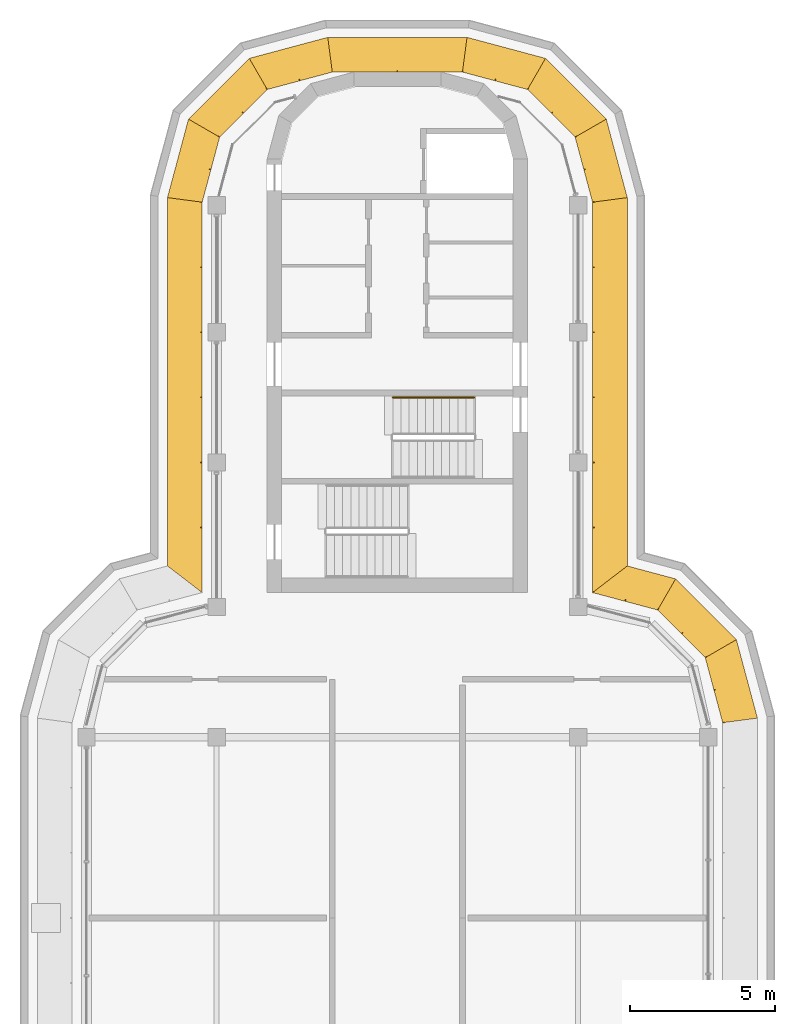
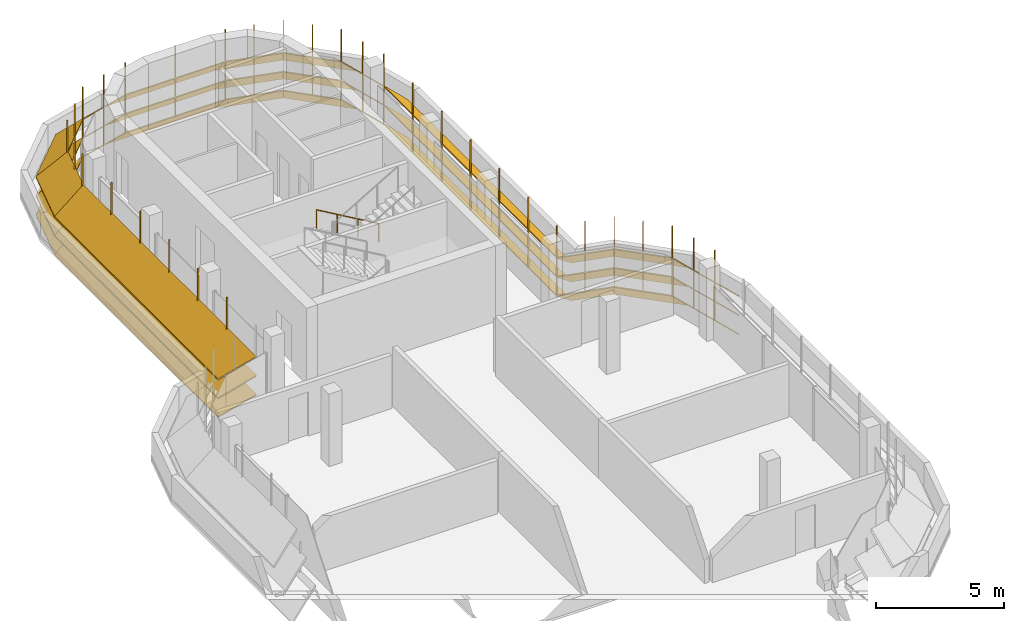
# One storey, part 13 of 13: 6 shading devices, 1 railing.
"""IFC4 building model written with IfcOpenShell, lengths in metres."""

from ifc_helpers import new_model, si_unit, direction, frame, origin, origin_2d, place, context, subcontext, project, spatial, polyline, circle, outline, extrude, faceted_brep, source, transform, mapped, material, type_object, element, save


model = new_model("IFC4")

# Units and contexts
model_context = context("Model", 3, precision=1e-05, world=origin(), true_north=direction((0.0, 1.0)))
body_context = subcontext(model_context, "Body", "Model", "MODEL_VIEW")
ifc_project = project(units=[si_unit("LENGTHUNIT", "METRE"), si_unit("AREAUNIT", "SQUARE_METRE"), si_unit("VOLUMEUNIT", "CUBIC_METRE"), si_unit("PLANEANGLEUNIT", "RADIAN"), si_unit("MASSUNIT", "GRAM", prefix="KILO")], contexts=[model_context])

# Site, building, storey
site_placement = place(None, origin())
site = spatial("IfcSite", under=ifc_project, at=site_placement, CompositionType="ELEMENT")
building_placement = place(site_placement, origin())
building = spatial("IfcBuilding", under=site, at=building_placement, Name="Zarbagh Exchange Tower", CompositionType="ELEMENT")
storey_placement = place(building_placement, frame((0.0, 0.0, 302.39990234375)))
storey = spatial("IfcBuildingStorey", under=building, at=storey_placement, Name="L74", CompositionType="ELEMENT", Elevation=302.39990234375)

# Railing
ifc_material_1 = material(Name="Stainless steel", Category="steel")
railing_type = type_object("IfcRailingType", Name="Stair handrail 900 mm", PredefinedType="HANDRAIL", material=ifc_material_1)
railing_placement = place(storey_placement, frame((2.64990234375, 18.0, 0.163818359375)))
element("IfcRailing", 1, at=railing_placement, inside=storey, type_object=railing_type, Name="ST1 stair handrail 1", PredefinedType="HANDRAIL", context=body_context, shape_type="SweptSolid", body=[
    extrude(circle(Radius=0.02392578125, at=origin_2d()), frame((0.0, 0.0, 0.8759765625), z_axis=(-0.863374499697, 0.0, 0.504563646405), x_axis=(0.0, -1.0, 0.0)), (0.0, 0.0, 1.0), 3.242919921875),
    extrude(circle(Radius=0.02099609375, at=origin_2d()), origin(), (0.0, 0.0, 1.0), 0.851806640625),
    extrude(circle(Radius=0.02099609375, at=origin_2d()), frame((-0.933349609375, 0.0, 0.54541015625)), (0.0, 0.0, 1.0), 0.851806640625),
    extrude(circle(Radius=0.02099609375, at=origin_2d()), frame((-1.866455078125, 0.0, 1.0908203125)), (0.0, 0.0, 1.0), 0.851806640625),
    extrude(circle(Radius=0.02099609375, at=origin_2d()), frame((-2.7998046875, 0.0, 1.63623046875)), (0.0, 0.0, 1.0), 0.851806640625),
])

# Shading devices
ifc_material_2 = material(Name="Anodised aluminium blades and brackets", Category="aluminium")
shading_device_type = type_object("IfcShadingDeviceType", Name="SUNSHADE louvre band, 45 degree blades", PredefinedType="JALOUSIE", material=ifc_material_2)
shared_shape_1 = source(origin(), body_context, "Body", "Brep", [
    faceted_brep([(0.0, 0.0, 0.0), (0.0, 0.0, -0.056640625), (-0.157958984375, -1.199951171875, -1.256591796875), (-0.157958984375, -1.199951171875, -1.199951171875), (2.65087890625, -1.199951171875, -1.199951171875), (2.65087890625, -1.199951171875, -1.256591796875), (2.329345703125, 0.0, -0.056640625), (2.329345703125, 0.0, 0.0)], [[[0, 1, 2, 3]], [[4, 5, 6, 7]], [[0, 7, 6, 1]], [[1, 6, 5, 2]], [[2, 5, 4, 3]], [[3, 4, 7, 0]]]),
])
shared_shape_2 = source(origin(), body_context, "Body", "Brep", [
    faceted_brep([(0.0, 0.0, 0.0), (0.0, 0.0, -0.056640625), (-0.321533203125, -1.199951171875, -1.256591796875), (-0.321533203125, -1.199951171875, -1.199951171875), (2.65087890625, -1.199951171875, -1.199951171875), (2.65087890625, -1.199951171875, -1.256591796875), (2.329345703125, 0.0, -0.056640625), (2.329345703125, 0.0, 0.0)], [[[0, 1, 2, 3]], [[4, 5, 6, 7]], [[0, 7, 6, 1]], [[1, 6, 5, 2]], [[2, 5, 4, 3]], [[3, 4, 7, 0]]]),
])
shared_shape_3 = source(origin(), body_context, "Body", "Brep", [
    faceted_brep([(0.0, 0.0, 0.0), (0.0, 0.0, -0.056640625), (-0.321533203125, -1.199951171875, -1.256591796875), (-0.321533203125, -1.199951171875, -1.199951171875), (1.40869140625, -1.199951171875, -1.199951171875), (1.40869140625, -1.199951171875, -1.256591796875), (2.329345703125, 0.0, -0.056640625), (2.329345703125, 0.0, 0.0)], [[[0, 1, 2, 3]], [[4, 5, 6, 7]], [[0, 7, 6, 1]], [[1, 6, 5, 2]], [[2, 5, 4, 3]], [[3, 4, 7, 0]]]),
])
shared_shape_4 = source(origin(), body_context, "Body", "SweptSolid", [
    extrude(outline(polyline([(0.0, -0.012451171875), (0.06005859375, -0.012451171875), (0.06005859375, 0.012451171875), (0.0, 0.012451171875), (0.0, -0.012451171875)])), origin(), (0.0, 0.0, 1.0), 3.366455078125),
])
placement = place(storey_placement, origin())
element("IfcShadingDevice", 2, at=placement, inside=storey, type_object=shading_device_type, Name="SS09 sunshade band", PredefinedType="JALOUSIE", context=body_context, shape_type="MappedRepresentation", body=[
    mapped(shared_shape_1, transform((11.25, 6.75, 2.10009765625), x_axis=(-0.258824779902, 0.965924289636, 0.0), y_axis=(-0.965924289636, -0.258824779902, 0.0), z_axis=(0.0, 0.0, 1.0))),
    mapped(shared_shape_1, transform((11.25, 6.75, 1.2001953125), x_axis=(-0.258824779902, 0.965924289636, 0.0), y_axis=(-0.965924289636, -0.258824779902, 0.0), z_axis=(0.0, 0.0, 1.0))),
    mapped(shared_shape_1, transform((11.25, 6.75, 0.300048828125), x_axis=(-0.258824779902, 0.965924289636, 0.0), y_axis=(-0.965924289636, -0.258824779902, 0.0), z_axis=(0.0, 0.0, 1.0))),
    mapped(shared_shape_2, transform((10.647216796875, 9.0, 2.10009765625), x_axis=(-0.707106781187, 0.707106781187, 0.0), y_axis=(-0.707106781187, -0.707106781187, 0.0), z_axis=(0.0, 0.0, 1.0))),
    mapped(shared_shape_2, transform((10.647216796875, 9.0, 1.2001953125), x_axis=(-0.707106781187, 0.707106781187, 0.0), y_axis=(-0.707106781187, -0.707106781187, 0.0), z_axis=(0.0, 0.0, 1.0))),
    mapped(shared_shape_2, transform((10.647216796875, 9.0, 0.300048828125), x_axis=(-0.707106781187, 0.707106781187, 0.0), y_axis=(-0.707106781187, -0.707106781187, 0.0), z_axis=(0.0, 0.0, 1.0))),
    mapped(shared_shape_3, transform((9.0, 10.647216796875, 2.10009765625), x_axis=(-0.965924289636, 0.258824779902, 0.0), y_axis=(-0.258824779902, -0.965924289636, 0.0), z_axis=(0.0, 0.0, 1.0))),
    mapped(shared_shape_3, transform((9.0, 10.647216796875, 1.2001953125), x_axis=(-0.965924289636, 0.258824779902, 0.0), y_axis=(-0.258824779902, -0.965924289636, 0.0), z_axis=(0.0, 0.0, 1.0))),
    mapped(shared_shape_3, transform((9.0, 10.647216796875, 0.300048828125), x_axis=(-0.965924289636, 0.258824779902, 0.0), y_axis=(-0.258824779902, -0.965924289636, 0.0), z_axis=(0.0, 0.0, 1.0))),
    mapped(shared_shape_4, transform((11.25, 6.75, 0.213623046875), x_axis=(0.991444457092, 0.130529263012, 0.0), y_axis=(-0.130529263012, 0.991444457092, 0.0), z_axis=(0.0, 0.0, 1.0))),
    mapped(shared_shape_4, transform((10.948486328125, 7.875, 0.213623046875), x_axis=(0.96592421511, 0.258825058029, 0.0), y_axis=(-0.258825058029, 0.96592421511, 0.0), z_axis=(0.0, 0.0, 1.0))),
    mapped(shared_shape_4, transform((10.647216796875, 9.0, 0.213623046875), x_axis=(0.866023812018, 0.50000275701, 0.0), y_axis=(-0.50000275701, 0.866023812018, 0.0), z_axis=(0.0, 0.0, 1.0))),
    mapped(shared_shape_4, transform((9.823486328125, 9.823486328125, 0.213623046875), x_axis=(0.707106781187, 0.707106781187, 0.0), y_axis=(-0.707106781187, 0.707106781187, 0.0), z_axis=(0.0, 0.0, 1.0))),
    mapped(shared_shape_4, transform((9.0, 10.647216796875, 0.213623046875), x_axis=(0.50000275701, 0.866023812018, 0.0), y_axis=(-0.866023812018, 0.50000275701, 0.0), z_axis=(0.0, 0.0, 1.0))),
    mapped(shared_shape_4, transform((7.875, 10.948486328125, 0.213623046875), x_axis=(0.258825058029, 0.96592421511, 0.0), y_axis=(-0.96592421511, 0.258825058029, 0.0), z_axis=(0.0, 0.0, 1.0))),
])
shared_shape_5 = source(origin(), body_context, "Body", "Brep", [
    faceted_brep([(0.0, 0.0, 0.0), (0.0, 0.0, -0.056640625), (-0.321533203125, -1.199951171875, -1.256591796875), (-0.321533203125, -1.199951171875, -1.199951171875), (2.4873046875, -1.199951171875, -1.199951171875), (2.4873046875, -1.199951171875, -1.256591796875), (2.329345703125, 0.0, -0.056640625), (2.329345703125, 0.0, 0.0)], [[[0, 1, 2, 3]], [[4, 5, 6, 7]], [[0, 7, 6, 1]], [[1, 6, 5, 2]], [[2, 5, 4, 3]], [[3, 4, 7, 0]]]),
])
element("IfcShadingDevice", 3, at=placement, inside=storey, type_object=shading_device_type, Name="SS46 sunshade band", PredefinedType="JALOUSIE", context=body_context, shape_type="MappedRepresentation", body=[
    mapped(shared_shape_1, transform((6.75, 24.75, 2.10009765625), x_axis=(-0.258824779902, 0.965924289636, 0.0), y_axis=(-0.965924289636, -0.258824779902, 0.0), z_axis=(0.0, 0.0, 1.0))),
    mapped(shared_shape_1, transform((6.75, 24.75, 1.2001953125), x_axis=(-0.258824779902, 0.965924289636, 0.0), y_axis=(-0.965924289636, -0.258824779902, 0.0), z_axis=(0.0, 0.0, 1.0))),
    mapped(shared_shape_1, transform((6.75, 24.75, 0.300048828125), x_axis=(-0.258824779902, 0.965924289636, 0.0), y_axis=(-0.965924289636, -0.258824779902, 0.0), z_axis=(0.0, 0.0, 1.0))),
    mapped(shared_shape_2, transform((6.147216796875, 27.0, 2.10009765625), x_axis=(-0.707106781187, 0.707106781187, 0.0), y_axis=(-0.707106781187, -0.707106781187, 0.0), z_axis=(0.0, 0.0, 1.0))),
    mapped(shared_shape_2, transform((6.147216796875, 27.0, 1.2001953125), x_axis=(-0.707106781187, 0.707106781187, 0.0), y_axis=(-0.707106781187, -0.707106781187, 0.0), z_axis=(0.0, 0.0, 1.0))),
    mapped(shared_shape_2, transform((6.147216796875, 27.0, 0.300048828125), x_axis=(-0.707106781187, 0.707106781187, 0.0), y_axis=(-0.707106781187, -0.707106781187, 0.0), z_axis=(0.0, 0.0, 1.0))),
    mapped(shared_shape_5, transform((4.5, 28.647216796875, 2.10009765625), x_axis=(-0.965924289636, 0.258824779902, 0.0), y_axis=(-0.258824779902, -0.965924289636, 0.0), z_axis=(0.0, 0.0, 1.0))),
    mapped(shared_shape_5, transform((4.5, 28.647216796875, 1.2001953125), x_axis=(-0.965924289636, 0.258824779902, 0.0), y_axis=(-0.258824779902, -0.965924289636, 0.0), z_axis=(0.0, 0.0, 1.0))),
    mapped(shared_shape_5, transform((4.5, 28.647216796875, 0.300048828125), x_axis=(-0.965924289636, 0.258824779902, 0.0), y_axis=(-0.258824779902, -0.965924289636, 0.0), z_axis=(0.0, 0.0, 1.0))),
    mapped(shared_shape_4, transform((6.75, 24.75, 0.213623046875), x_axis=(0.991444457092, 0.130529263012, 0.0), y_axis=(-0.130529263012, 0.991444457092, 0.0), z_axis=(0.0, 0.0, 1.0))),
    mapped(shared_shape_4, transform((6.448486328125, 25.875, 0.213623046875), x_axis=(0.96592421511, 0.258825058029, 0.0), y_axis=(-0.258825058029, 0.96592421511, 0.0), z_axis=(0.0, 0.0, 1.0))),
    mapped(shared_shape_4, transform((6.147216796875, 27.0, 0.213623046875), x_axis=(0.866023812018, 0.50000275701, 0.0), y_axis=(-0.50000275701, 0.866023812018, 0.0), z_axis=(0.0, 0.0, 1.0))),
    mapped(shared_shape_4, transform((5.323486328125, 27.823486328125, 0.213623046875), x_axis=(0.707106781187, 0.707106781187, 0.0), y_axis=(-0.707106781187, 0.707106781187, 0.0), z_axis=(0.0, 0.0, 1.0))),
    mapped(shared_shape_4, transform((4.5, 28.647216796875, 0.213623046875), x_axis=(0.50000275701, 0.866023812018, 0.0), y_axis=(-0.866023812018, 0.50000275701, 0.0), z_axis=(0.0, 0.0, 1.0))),
    mapped(shared_shape_4, transform((3.375, 28.948486328125, 0.213623046875), x_axis=(0.258825058029, 0.96592421511, 0.0), y_axis=(-0.96592421511, 0.258825058029, 0.0), z_axis=(0.0, 0.0, 1.0))),
])
element("IfcShadingDevice", 4, at=placement, inside=storey, type_object=shading_device_type, Name="SS48 sunshade band", PredefinedType="JALOUSIE", context=body_context, shape_type="MappedRepresentation", body=[
    mapped(shared_shape_1, transform((-2.25, 29.25, 2.10009765625), x_axis=(-0.965924289636, -0.258824779902, 0.0), y_axis=(0.258824779902, -0.965924289636, 0.0), z_axis=(0.0, 0.0, 1.0))),
    mapped(shared_shape_1, transform((-2.25, 29.25, 1.2001953125), x_axis=(-0.965924289636, -0.258824779902, 0.0), y_axis=(0.258824779902, -0.965924289636, 0.0), z_axis=(0.0, 0.0, 1.0))),
    mapped(shared_shape_1, transform((-2.25, 29.25, 0.300048828125), x_axis=(-0.965924289636, -0.258824779902, 0.0), y_axis=(0.258824779902, -0.965924289636, 0.0), z_axis=(0.0, 0.0, 1.0))),
    mapped(shared_shape_2, transform((-4.5, 28.647216796875, 2.10009765625), x_axis=(-0.707106781187, -0.707106781187, 0.0), y_axis=(0.707106781187, -0.707106781187, 0.0), z_axis=(0.0, 0.0, 1.0))),
    mapped(shared_shape_2, transform((-4.5, 28.647216796875, 1.2001953125), x_axis=(-0.707106781187, -0.707106781187, 0.0), y_axis=(0.707106781187, -0.707106781187, 0.0), z_axis=(0.0, 0.0, 1.0))),
    mapped(shared_shape_2, transform((-4.5, 28.647216796875, 0.300048828125), x_axis=(-0.707106781187, -0.707106781187, 0.0), y_axis=(0.707106781187, -0.707106781187, 0.0), z_axis=(0.0, 0.0, 1.0))),
    mapped(shared_shape_5, transform((-6.147216796875, 27.0, 2.10009765625), x_axis=(-0.258824779902, -0.965924289636, 0.0), y_axis=(0.965924289636, -0.258824779902, 0.0), z_axis=(0.0, 0.0, 1.0))),
    mapped(shared_shape_5, transform((-6.147216796875, 27.0, 1.2001953125), x_axis=(-0.258824779902, -0.965924289636, 0.0), y_axis=(0.965924289636, -0.258824779902, 0.0), z_axis=(0.0, 0.0, 1.0))),
    mapped(shared_shape_5, transform((-6.147216796875, 27.0, 0.300048828125), x_axis=(-0.258824779902, -0.965924289636, 0.0), y_axis=(0.965924289636, -0.258824779902, 0.0), z_axis=(0.0, 0.0, 1.0))),
    mapped(shared_shape_4, transform((-2.25, 29.25, 0.213623046875), x_axis=(-0.130529263012, 0.991444457092, 0.0), y_axis=(-0.991444457092, -0.130529263012, 0.0), z_axis=(0.0, 0.0, 1.0))),
    mapped(shared_shape_4, transform((-3.375, 28.948486328125, 0.213623046875), x_axis=(-0.258825058029, 0.96592421511, 0.0), y_axis=(-0.96592421511, -0.258825058029, 0.0), z_axis=(0.0, 0.0, 1.0))),
    mapped(shared_shape_4, transform((-4.5, 28.647216796875, 0.213623046875), x_axis=(-0.50000275701, 0.866023812018, 0.0), y_axis=(-0.866023812018, -0.50000275701, 0.0), z_axis=(0.0, 0.0, 1.0))),
    mapped(shared_shape_4, transform((-5.323486328125, 27.823486328125, 0.213623046875), x_axis=(-0.707106781187, 0.707106781187, 0.0), y_axis=(-0.707106781187, -0.707106781187, 0.0), z_axis=(0.0, 0.0, 1.0))),
    mapped(shared_shape_4, transform((-6.147216796875, 27.0, 0.213623046875), x_axis=(-0.866023812018, 0.50000275701, 0.0), y_axis=(-0.50000275701, -0.866023812018, 0.0), z_axis=(0.0, 0.0, 1.0))),
    mapped(shared_shape_4, transform((-6.448486328125, 25.875, 0.213623046875), x_axis=(-0.96592421511, 0.258825058029, 0.0), y_axis=(-0.258825058029, -0.96592421511, 0.0), z_axis=(0.0, 0.0, 1.0))),
])
shared_shape_6 = source(origin(), body_context, "Body", "Brep", [
    faceted_brep([(0.0, 0.0, 0.0), (0.0, 0.0, -0.056640625), (0.9208984375, -1.199951171875, -1.256591796875), (0.9208984375, -1.199951171875, -1.199951171875), (13.657958984375, -1.199951171875, -1.199951171875), (13.657958984375, -1.199951171875, -1.256591796875), (13.5, 0.0, -0.056640625), (13.5, 0.0, 0.0)], [[[0, 1, 2, 3]], [[4, 5, 6, 7]], [[0, 7, 6, 1]], [[1, 6, 5, 2]], [[2, 5, 4, 3]], [[3, 4, 7, 0]]]),
])
element("IfcShadingDevice", 5, at=placement, inside=storey, type_object=shading_device_type, Name="SS45 sunshade band", PredefinedType="JALOUSIE", context=body_context, shape_type="MappedRepresentation", body=[
    mapped(shared_shape_6, transform((6.75, 11.25, 2.10009765625), x_axis=(0.0, 1.0, 0.0), y_axis=(-1.0, 0.0, 0.0), z_axis=(0.0, 0.0, 1.0))),
    mapped(shared_shape_6, transform((6.75, 11.25, 1.2001953125), x_axis=(0.0, 1.0, 0.0), y_axis=(-1.0, 0.0, 0.0), z_axis=(0.0, 0.0, 1.0))),
    mapped(shared_shape_6, transform((6.75, 11.25, 0.300048828125), x_axis=(0.0, 1.0, 0.0), y_axis=(-1.0, 0.0, 0.0), z_axis=(0.0, 0.0, 1.0))),
    mapped(shared_shape_4, transform((6.75, 11.25, 0.213623046875), x_axis=(0.793355287, 0.608758892, 0.0), y_axis=(-0.608758892, 0.793355287, 0.0), z_axis=(0.0, 0.0, 1.0))),
    mapped(shared_shape_4, transform((6.75, 13.5, 0.213623046875), x_axis=(1.0, 0.0, 0.0), y_axis=(0.0, 1.0, 0.0), z_axis=(0.0, 0.0, 1.0))),
    mapped(shared_shape_4, transform((6.75, 15.75, 0.213623046875), x_axis=(1.0, 0.0, 0.0), y_axis=(0.0, 1.0, 0.0), z_axis=(0.0, 0.0, 1.0))),
    mapped(shared_shape_4, transform((6.75, 18.0, 0.213623046875), x_axis=(1.0, 0.0, 0.0), y_axis=(0.0, 1.0, 0.0), z_axis=(0.0, 0.0, 1.0))),
    mapped(shared_shape_4, transform((6.75, 20.25, 0.213623046875), x_axis=(1.0, 0.0, 0.0), y_axis=(0.0, 1.0, 0.0), z_axis=(0.0, 0.0, 1.0))),
    mapped(shared_shape_4, transform((6.75, 22.5, 0.213623046875), x_axis=(1.0, 0.0, 0.0), y_axis=(0.0, 1.0, 0.0), z_axis=(0.0, 0.0, 1.0))),
])
shared_shape_7 = source(origin(), body_context, "Body", "Brep", [
    faceted_brep([(0.0, 0.0, 0.0), (0.0, 0.0, -0.056640625), (-0.157958984375, -1.199951171875, -1.256591796875), (-0.157958984375, -1.199951171875, -1.199951171875), (4.657958984375, -1.199951171875, -1.199951171875), (4.657958984375, -1.199951171875, -1.256591796875), (4.5, 0.0, -0.056640625), (4.5, 0.0, 0.0)], [[[0, 1, 2, 3]], [[4, 5, 6, 7]], [[0, 7, 6, 1]], [[1, 6, 5, 2]], [[2, 5, 4, 3]], [[3, 4, 7, 0]]]),
])
element("IfcShadingDevice", 6, at=placement, inside=storey, type_object=shading_device_type, Name="SS47 sunshade band", PredefinedType="JALOUSIE", context=body_context, shape_type="MappedRepresentation", body=[
    mapped(shared_shape_7, transform((2.25, 29.25, 2.10009765625), x_axis=(-1.0, 0.0, 0.0), y_axis=(0.0, -1.0, 0.0), z_axis=(0.0, 0.0, 1.0))),
    mapped(shared_shape_7, transform((2.25, 29.25, 1.2001953125), x_axis=(-1.0, 0.0, 0.0), y_axis=(0.0, -1.0, 0.0), z_axis=(0.0, 0.0, 1.0))),
    mapped(shared_shape_7, transform((2.25, 29.25, 0.300048828125), x_axis=(-1.0, 0.0, 0.0), y_axis=(0.0, -1.0, 0.0), z_axis=(0.0, 0.0, 1.0))),
    mapped(shared_shape_4, transform((2.25, 29.25, 0.213623046875), x_axis=(0.130529263012, 0.991444457092, 0.0), y_axis=(-0.991444457092, 0.130529263012, 0.0), z_axis=(0.0, 0.0, 1.0))),
    mapped(shared_shape_4, transform((0.0, 29.25, 0.213623046875), x_axis=(0.0, 1.0, 0.0), y_axis=(-1.0, 0.0, 0.0), z_axis=(0.0, 0.0, 1.0))),
])
shared_shape_8 = source(origin(), body_context, "Body", "Brep", [
    faceted_brep([(0.0, 0.0, 0.0), (0.0, 0.0, -0.056640625), (-0.157958984375, -1.199951171875, -1.256591796875), (-0.157958984375, -1.199951171875, -1.199951171875), (12.5791015625, -1.199951171875, -1.199951171875), (12.5791015625, -1.199951171875, -1.256591796875), (13.5, 0.0, -0.056640625), (13.5, 0.0, 0.0)], [[[0, 1, 2, 3]], [[4, 5, 6, 7]], [[0, 7, 6, 1]], [[1, 6, 5, 2]], [[2, 5, 4, 3]], [[3, 4, 7, 0]]]),
])
element("IfcShadingDevice", 7, at=placement, inside=storey, type_object=shading_device_type, Name="SS49 sunshade band", PredefinedType="JALOUSIE", context=body_context, shape_type="MappedRepresentation", body=[
    mapped(shared_shape_8, transform((-6.75, 24.75, 2.10009765625), x_axis=(0.0, -1.0, 0.0), y_axis=(1.0, 0.0, 0.0), z_axis=(0.0, 0.0, 1.0))),
    mapped(shared_shape_8, transform((-6.75, 24.75, 1.2001953125), x_axis=(0.0, -1.0, 0.0), y_axis=(1.0, 0.0, 0.0), z_axis=(0.0, 0.0, 1.0))),
    mapped(shared_shape_8, transform((-6.75, 24.75, 0.300048828125), x_axis=(0.0, -1.0, 0.0), y_axis=(1.0, 0.0, 0.0), z_axis=(0.0, 0.0, 1.0))),
    mapped(shared_shape_4, transform((-6.75, 24.75, 0.213623046875), x_axis=(-0.991444457092, 0.130529263012, 0.0), y_axis=(-0.130529263012, -0.991444457092, 0.0), z_axis=(0.0, 0.0, 1.0))),
    mapped(shared_shape_4, transform((-6.75, 22.5, 0.213623046875), x_axis=(-1.0, 0.0, 0.0), y_axis=(0.0, -1.0, 0.0), z_axis=(0.0, 0.0, 1.0))),
    mapped(shared_shape_4, transform((-6.75, 20.25, 0.213623046875), x_axis=(-1.0, 0.0, 0.0), y_axis=(0.0, -1.0, 0.0), z_axis=(0.0, 0.0, 1.0))),
    mapped(shared_shape_4, transform((-6.75, 18.0, 0.213623046875), x_axis=(-1.0, 0.0, 0.0), y_axis=(0.0, -1.0, 0.0), z_axis=(0.0, 0.0, 1.0))),
    mapped(shared_shape_4, transform((-6.75, 15.75, 0.213623046875), x_axis=(-1.0, 0.0, 0.0), y_axis=(0.0, -1.0, 0.0), z_axis=(0.0, 0.0, 1.0))),
    mapped(shared_shape_4, transform((-6.75, 13.5, 0.213623046875), x_axis=(-1.0, 0.0, 0.0), y_axis=(0.0, -1.0, 0.0), z_axis=(0.0, 0.0, 1.0))),
])

save(model, "model.ifc")
